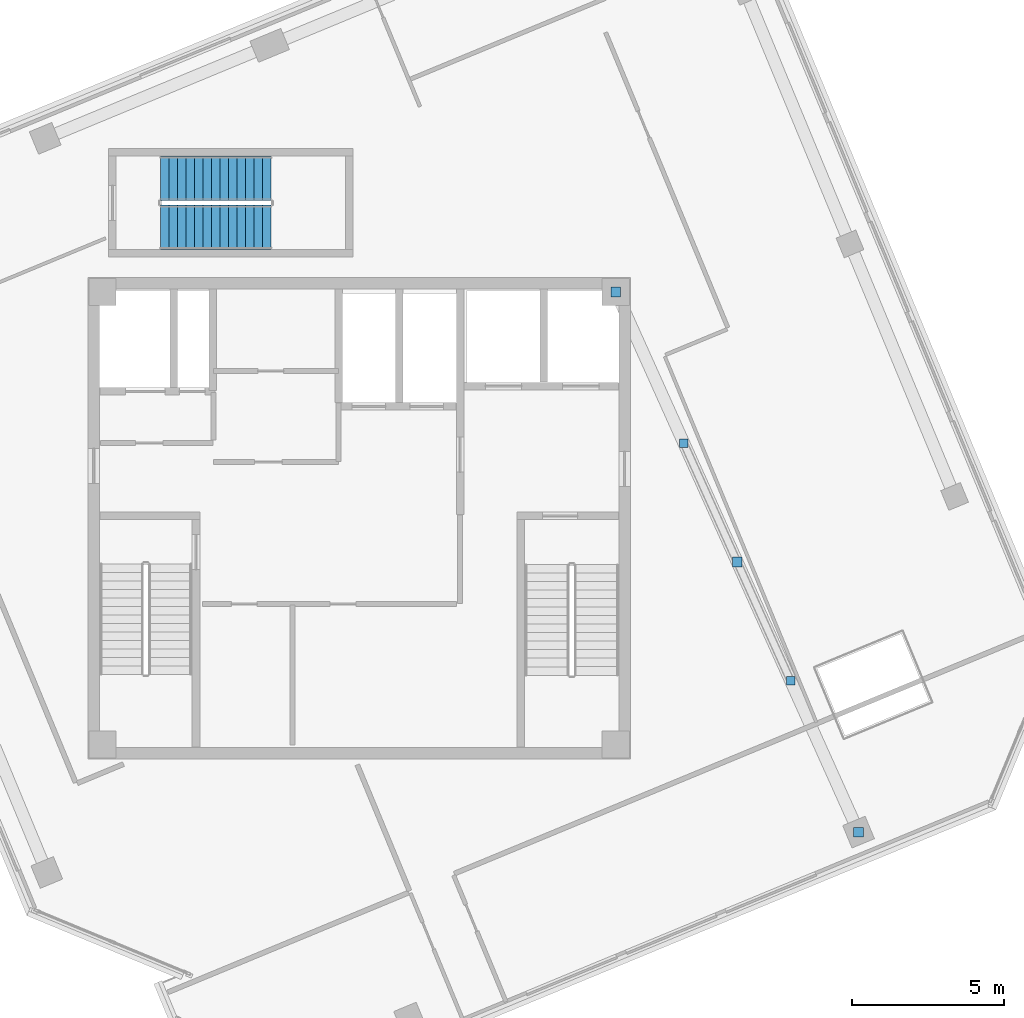
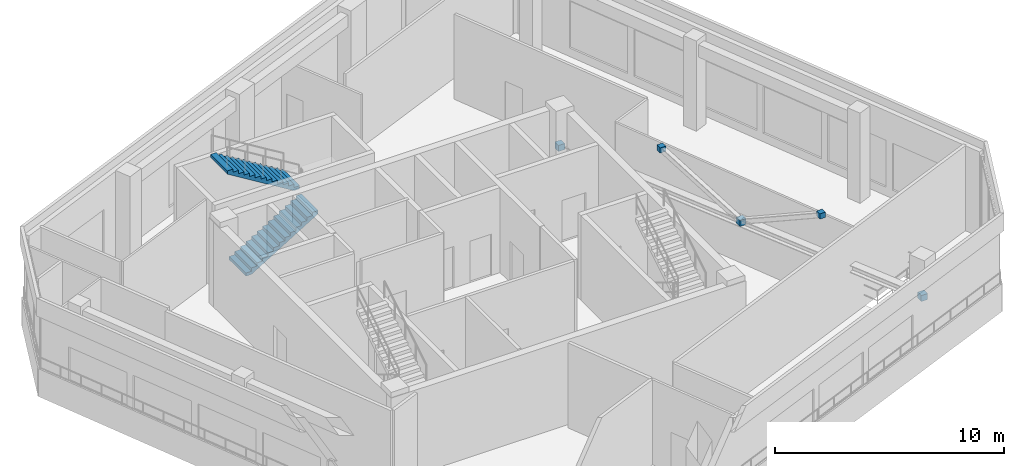
# One storey, part 11 of 17: 5 discrete accessories, 2 stair flights, 1 element without a shape of its own.
"""IFC4 building model written with IfcOpenShell, lengths in metres."""

from ifc_helpers import new_model, si_unit, direction, frame, origin, origin_2d, place, context, subcontext, project, spatial, polyline, rectangle, outline, extrude, source, transform, mapped, material, type_object, element, aggregate, save


model = new_model("IFC4")

# Units and contexts
model_context = context("Model", 3, precision=1e-05, world=origin(), true_north=direction((0.0, 1.0)))
body_context = subcontext(model_context, "Body", "Model", "MODEL_VIEW")
ifc_project = project(units=[si_unit("LENGTHUNIT", "METRE"), si_unit("AREAUNIT", "SQUARE_METRE"), si_unit("VOLUMEUNIT", "CUBIC_METRE"), si_unit("PLANEANGLEUNIT", "RADIAN"), si_unit("MASSUNIT", "GRAM", prefix="KILO")], contexts=[model_context])

# Site, building, storey
site_placement = place(None, origin())
site = spatial("IfcSite", under=ifc_project, at=site_placement, CompositionType="ELEMENT")
building_placement = place(site_placement, origin())
building = spatial("IfcBuilding", under=site, at=building_placement, Name="Torre Montelarca", CompositionType="ELEMENT")
storey_placement = place(building_placement, frame((0.0, 0.0, 355.199951171875)))
storey = spatial("IfcBuildingStorey", under=building, at=storey_placement, Name="L80", CompositionType="ELEMENT", Elevation=355.199951171875)

# Stair, stair flights
ifc_material_1 = material(Name="Concrete C40/50", Category="concrete")
stair_type = type_object("IfcStairType", Name="ST-CORE-ST5", PredefinedType="HALF_TURN_STAIR", material=ifc_material_1)
stair_placement = place(storey_placement, origin())
stair = element("IfcStair", 1, at=stair_placement, inside=storey, type_object=stair_type, Name="L80 Crown Observatory Feature Stair ST5", PredefinedType="HALF_TURN_STAIR")
stair_flight_type = type_object("IfcStairFlightType", Name="SFL-CORE-ST5", PredefinedType="STRAIGHT", material=ifc_material_1)
stair_flight_1_placement = place(storey_placement, frame((11.4599609375, 41.580078125, 0.0), z_axis=(0.0, 0.0, 1.0), x_axis=(1.0, 0.0, 0.0)))
stair_flight_1 = element("IfcStairFlight", 2, at=stair_flight_1_placement, type_object=stair_flight_type, Name="ST5 flight 1", NumberOfRisers=14, NumberOfTreads=13, PredefinedType="STRAIGHT", RiserHeight=0.171428571, TreadLength=0.28, context=body_context, shape_type="SweptSolid", body=[
    extrude(outline(polyline([(0.0, 0.0), (0.0, 0.17138671875), (0.280029296875, 0.17138671875), (0.280029296875, 0.3427734375), (0.56005859375, 0.3427734375), (0.56005859375, 0.514404296875), (0.840087890625, 0.514404296875), (0.840087890625, 0.685791015625), (1.1201171875, 0.685791015625), (1.1201171875, 0.857177734375), (1.39990234375, 0.857177734375), (1.39990234375, 1.028564453125), (1.679931640625, 1.028564453125), (1.679931640625, 1.199951171875), (1.9599609375, 1.199951171875), (1.9599609375, 1.371337890625), (2.239990234375, 1.371337890625), (2.239990234375, 1.54296875), (2.52001953125, 1.54296875), (2.52001953125, 1.71435546875), (2.800048828125, 1.71435546875), (2.800048828125, 1.8857421875), (3.080078125, 1.8857421875), (3.080078125, 2.05712890625), (3.360107421875, 2.05712890625), (3.360107421875, 2.228515625), (3.639892578125, 2.228515625), (3.639892578125, 2.39990234375), (3.639892578125, 2.052734375), (0.287109375, 0.0), (0.0, 0.0)])), frame((0.0, 0.72998046875, 0.0), z_axis=(0.0, -1.0, 0.0), x_axis=(1.0, 0.0, 0.0)), (0.0, 0.0, 1.0), 1.4599609375),
])
stair_flight_2_placement = place(storey_placement, frame((15.10009765625, 43.18994140625, 2.400146484375), z_axis=(0.0, 0.0, 1.0), x_axis=(-1.0, 0.0, 0.0)))
stair_flight_2 = element("IfcStairFlight", 3, at=stair_flight_2_placement, type_object=stair_flight_type, Name="ST5 flight 2", NumberOfRisers=14, NumberOfTreads=13, PredefinedType="STRAIGHT", RiserHeight=0.171428571, TreadLength=0.28, context=body_context, shape_type="SweptSolid", body=[
    extrude(outline(polyline([(0.0, 0.0), (0.0, 0.17138671875), (0.280029296875, 0.17138671875), (0.280029296875, 0.3427734375), (0.56005859375, 0.3427734375), (0.56005859375, 0.514404296875), (0.840087890625, 0.514404296875), (0.840087890625, 0.685791015625), (1.1201171875, 0.685791015625), (1.1201171875, 0.857177734375), (1.39990234375, 0.857177734375), (1.39990234375, 1.028564453125), (1.679931640625, 1.028564453125), (1.679931640625, 1.199951171875), (1.9599609375, 1.199951171875), (1.9599609375, 1.371337890625), (2.239990234375, 1.371337890625), (2.239990234375, 1.54296875), (2.52001953125, 1.54296875), (2.52001953125, 1.71435546875), (2.800048828125, 1.71435546875), (2.800048828125, 1.8857421875), (3.080078125, 1.8857421875), (3.080078125, 2.05712890625), (3.360107421875, 2.05712890625), (3.360107421875, 2.228515625), (3.639892578125, 2.228515625), (3.639892578125, 2.39990234375), (3.639892578125, 2.052734375), (0.287109375, 0.0), (0.0, 0.0)])), frame((0.0, 0.72998046875, 0.0), z_axis=(0.0, -1.0, 0.0), x_axis=(1.0, 0.0, 0.0)), (0.0, 0.0, 1.0), 1.4599609375),
])
aggregate(stair, [stair_flight_1, stair_flight_2])

# Discrete accessories
ifc_material_2 = material(Name="Stainless steel AISI 316", Category="steel")
discrete_accessory_type = type_object("IfcDiscreteAccessoryType", Name="ACC-BRACKET-SS", PredefinedType="BRACKET", material=ifc_material_2)
shared_shape_1 = source(origin(), body_context, "Body", "SweptSolid", [
    extrude(rectangle(XDim=0.280029296875, YDim=0.280029296875, at=origin_2d()), origin(), (0.0, 0.0, 1.0), 0.280029296875),
])
for number, where, z_axis, x_axis, name in (
    (4, (28.687255859375, 34.47021484375, 4.52001953125), (0.0, 0.0, 1.0), (1.0, 0.0, 0.0), "L80 TMD Hanger Ceiling Bracket 1"),
    (5, (32.20263671875, 26.64501953125, 4.52001953125), (0.0, 0.0, 1.0), (1.0, 0.0, 0.0), "L80 TMD Hanger Ceiling Bracket 2"),
):
    element("IfcDiscreteAccessory", number, at=place(storey_placement, frame(where, z_axis=z_axis, x_axis=x_axis)), inside=storey, type_object=discrete_accessory_type, Name=name, PredefinedType="BRACKET", context=body_context, shape_type="MappedRepresentation", body=[
        mapped(shared_shape_1, transform((0.0, 0.0, 0.0), scale=1.0)),
    ])
shared_shape_2 = source(origin(), body_context, "Body", "SweptSolid", [
    extrude(rectangle(XDim=0.320068359375, YDim=0.320068359375, at=origin_2d()), origin(), (0.0, 0.0, 1.0), 0.320068359375),
])
for number, where, z_axis, x_axis, name in (
    (6, (26.449951171875, 39.449951171875, 2.39013671875), (0.0, 0.0, 1.0), (1.0, 0.0, 0.0), "L80 TMD Cradle Chord End Bracket C"),
    (7, (34.43994140625, 21.665283203125, 2.39013671875), (0.0, 0.0, 1.0), (1.0, 0.0, 0.0), "L80 TMD Cradle Chord End Bracket W"),
    (8, (30.44482421875, 30.5576171875, 2.39013671875), (0.0, 0.0, 1.0), (1.0, 0.0, 0.0), "L80 TMD Pendulum Apex Bracket"),
):
    element("IfcDiscreteAccessory", number, at=place(storey_placement, frame(where, z_axis=z_axis, x_axis=x_axis)), inside=storey, type_object=discrete_accessory_type, Name=name, PredefinedType="BRACKET", context=body_context, shape_type="MappedRepresentation", body=[
        mapped(shared_shape_2, transform((0.0, 0.0, 0.0), scale=1.0)),
    ])

save(model, "model.ifc")
